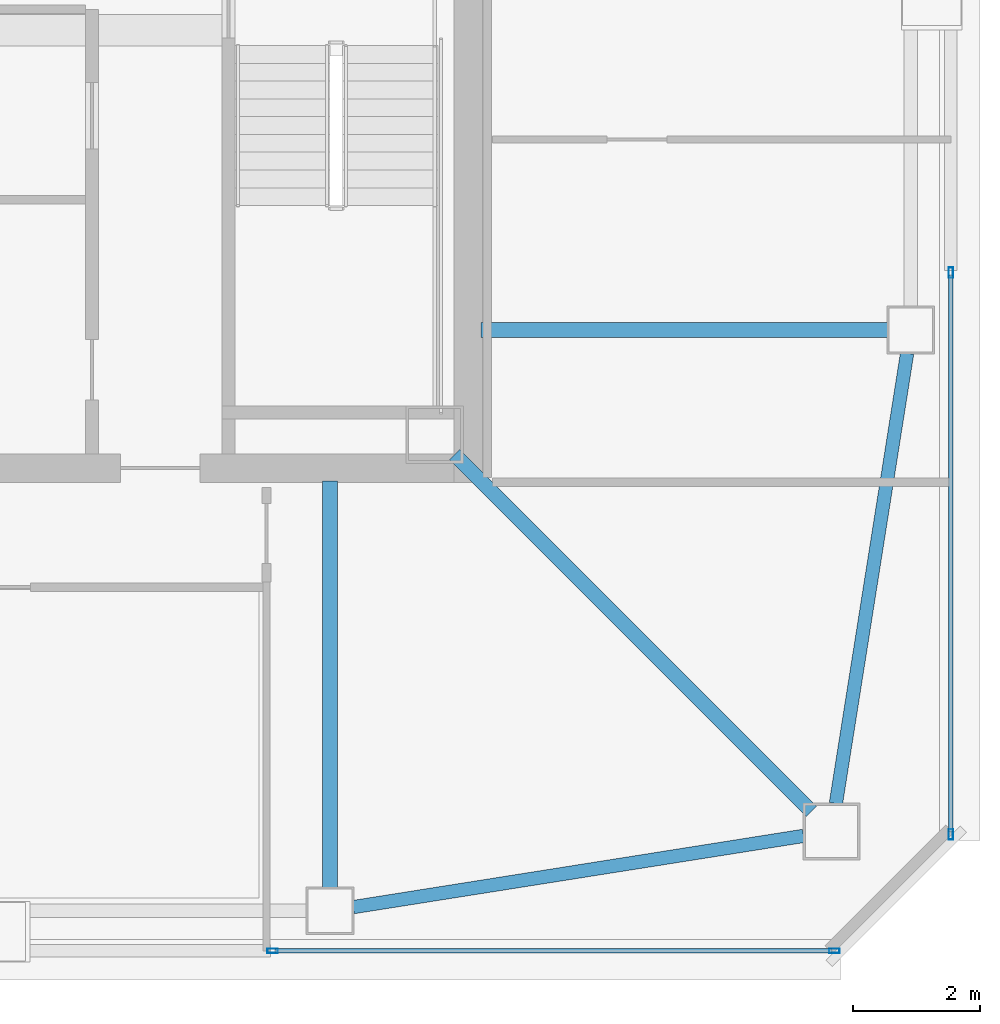
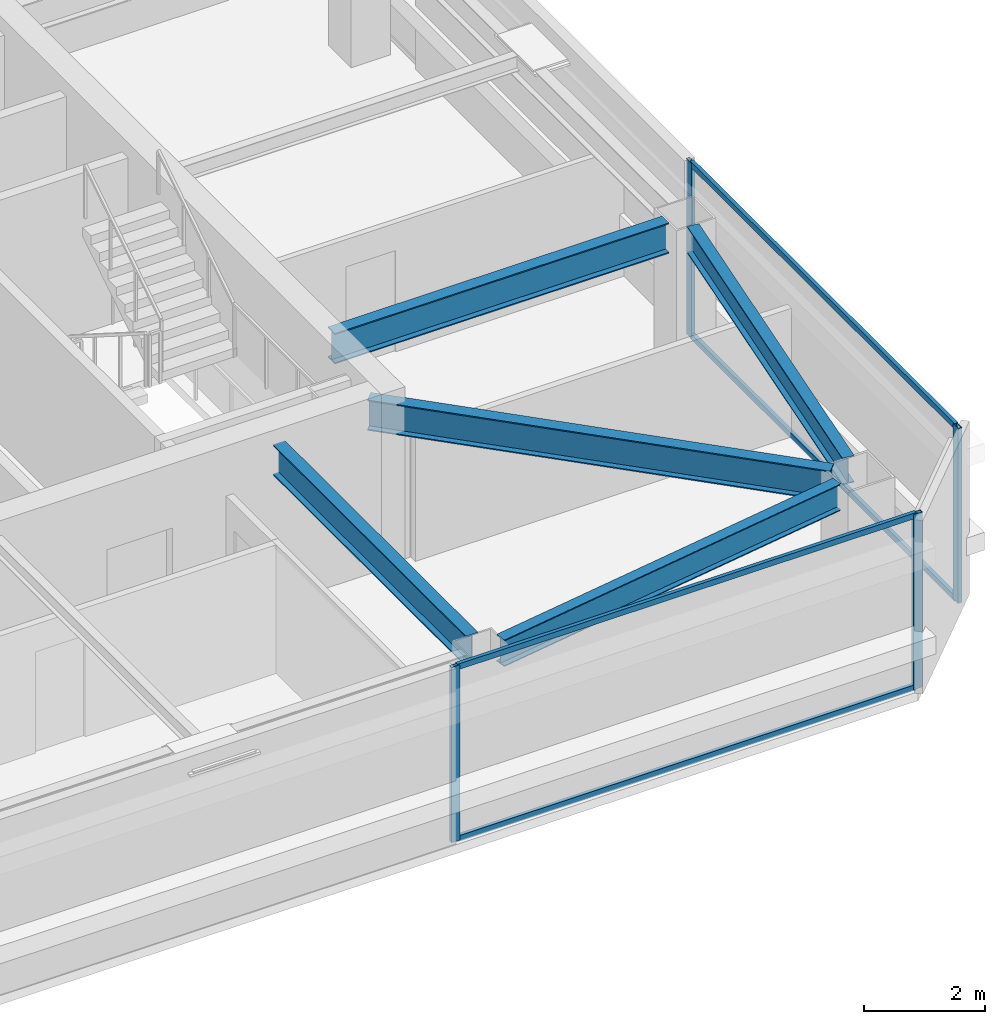
# One storey, part 6 of 18: 8 members, 5 beams, 2 elements without a shape of their own.
"""IFC4 building model written with IfcOpenShell, lengths in metres."""

from ifc_helpers import new_model, si_unit, direction, frame, origin, origin_2d, place, context, subcontext, project, spatial, hollow_rectangle, i_section, extrude, material, material_profile, profile_set, type_object, element, aggregate, save


model = new_model("IFC4")

# Units and contexts
model_context = context("Model", 3, precision=1e-05, world=origin(), true_north=direction((0.0, 1.0)))
body_context = subcontext(model_context, "Body", "Model", "MODEL_VIEW")
ifc_project = project(units=[si_unit("LENGTHUNIT", "METRE"), si_unit("AREAUNIT", "SQUARE_METRE"), si_unit("VOLUMEUNIT", "CUBIC_METRE"), si_unit("PLANEANGLEUNIT", "RADIAN"), si_unit("MASSUNIT", "GRAM", prefix="KILO")], contexts=[model_context])

# Site, building, storey
site_placement = place(None, origin())
site = spatial("IfcSite", under=ifc_project, at=site_placement, CompositionType="ELEMENT")
building_placement = place(site_placement, origin())
building = spatial("IfcBuilding", under=site, at=building_placement, Name="Tashvorn Skyway Center", CompositionType="ELEMENT")
storey_placement = place(building_placement, frame((0.0, 0.0, 274.050048828125)))
storey = spatial("IfcBuildingStorey", under=building, at=storey_placement, Name="L74", CompositionType="ELEMENT", Elevation=274.050048828125)

# Beams
ifc_material_1 = material(Name="Steel ASTM A992 Grade 50", Category="steel")
ifc_material_profile_1 = material_profile(ifc_material_1, i_section(OverallWidth=0.22998046875, OverallDepth=0.616943359375, WebThickness=0.01318359375, FlangeThickness=0.022216796875, at=origin_2d()), Name="W24X94")
ifc_profile_set_1 = profile_set([ifc_material_profile_1], Name="Steel ASTM A992 Grade 50")
beam_type_1 = type_object("IfcBeamType", Name="BM-BEAM-W24X94", PredefinedType="BEAM", material=ifc_profile_set_1)
beam_placement = place(storey_placement, frame((54.9853515625, 19.0146484375, 2.94140625), z_axis=(-0.707106781187, 0.707106781187, 0.0), x_axis=(-0.707106781187, -0.707106781187, 0.0)))
element("IfcBeam", 1, at=beam_placement, inside=storey, type_object=beam_type_1, Name="Tower 1 L74 Primary Floor Girder MC-SE", PredefinedType="BEAM", context=body_context, shape_type="SweptSolid", body=[
    extrude(i_section(OverallWidth=0.22998046875, OverallDepth=0.616943359375, WebThickness=0.01318359375, FlangeThickness=0.022216796875, at=origin_2d()), origin(), (0.0, 0.0, 1.0), 7.94873046875),
])
for number, where, z_axis, x_axis, name in (
    (2, (47.39990234375, 17.820068359375, 2.94140625), (0.0, 1.0, 0.0), (-1.0, 0.0, 0.0), "Tower 1 L74 Primary Floor Girder FC-S2"),
    (3, (56.179931640625, 26.60009765625, 2.94140625), (-1.0, 0.0, 0.0), (0.0, -1.0, 0.0), "Tower 1 L74 Primary Floor Girder FC-E1"),
):
    element("IfcBeam", number, at=place(storey_placement, frame(where, z_axis=z_axis, x_axis=x_axis)), inside=storey, type_object=beam_type_1, Name=name, PredefinedType="BEAM", context=body_context, shape_type="SweptSolid", body=[
        extrude(i_section(OverallWidth=0.22998046875, OverallDepth=0.616943359375, WebThickness=0.01318359375, FlangeThickness=0.022216796875, at=origin_2d()), origin(), (0.0, 0.0, 1.0), 6.39990234375),
    ])
ifc_material_profile_2 = material_profile(ifc_material_1, i_section(OverallWidth=0.2109375, OverallDepth=0.5390625, WebThickness=0.01171875, FlangeThickness=0.018798828125, at=origin_2d()), Name="W21X73")
ifc_profile_set_2 = profile_set([ifc_material_profile_2], Name="Steel ASTM A992 Grade 50")
beam_type_2 = type_object("IfcBeamType", Name="BM-SPANDREL-W21X73", PredefinedType="SPANDREL", material=ifc_profile_set_2)
for number, where, z_axis, x_axis, name in (
    (4, (47.765380859375, 17.5078125, 2.98046875), (0.987713587978, 0.156274976, 0.0), (-0.156274976, 0.987713587978, 0.0), "Tower 1 L74 Spandrel Beam 03"),
    (5, (55.36962890625, 19.1396484375, 2.98046875), (0.156274976, 0.987713587978, 0.0), (-0.987713587978, 0.156274976, 0.0), "Tower 1 L74 Spandrel Beam 04"),
):
    element("IfcBeam", number, at=place(storey_placement, frame(where, z_axis=z_axis, x_axis=x_axis)), inside=storey, type_object=beam_type_2, Name=name, PredefinedType="SPANDREL", context=body_context, shape_type="SweptSolid", body=[
        extrude(i_section(OverallWidth=0.2109375, OverallDepth=0.5390625, WebThickness=0.01171875, FlangeThickness=0.018798828125, at=origin_2d()), origin(), (0.0, 0.0, 1.0), 7.18310546875),
    ])

# Curtain wall, members
ifc_material_2 = material(Name="Thermally broken bronze-anodized aluminium 6063-T6", Category="aluminium")
curtain_wall_type = type_object("IfcCurtainWallType", Name="CW-CW-Z5", PredefinedType="NOTDEFINED", material=ifc_material_2)
curtain_wall_1_placement = place(storey_placement, origin())
curtain_wall_1 = element("IfcCurtainWall", 6, at=curtain_wall_1_placement, inside=storey, type_object=curtain_wall_type, Name="Tower 1 L74 South Unitised Curtain Wall Glazing Group 1", PredefinedType="NOTDEFINED")
ifc_material_profile_3 = material_profile(ifc_material_2, hollow_rectangle(XDim=0.070068359375, YDim=0.1650390625, WallThickness=0.00390625, at=origin_2d()), Name="ALU-MULL-70x165")
ifc_profile_set_3 = profile_set([ifc_material_profile_3], Name="Thermally broken bronze-anodized aluminium 6063-T6")
member_type_1 = type_object("IfcMemberType", Name="CWM-CW-Z5", PredefinedType="MULLION", material=ifc_profile_set_3)
member_1_placement = place(storey_placement, frame((55.344970703125, 16.820068359375, 0.0), z_axis=(0.0, 0.0, 1.0), x_axis=(0.0, -1.0, 0.0)))
member_1 = element("IfcMember", 7, at=member_1_placement, type_object=member_type_1, Name="CW-Z5 mullion 1", PredefinedType="MULLION", context=body_context, shape_type="SweptSolid", body=[
    extrude(hollow_rectangle(XDim=0.070068359375, YDim=0.1650390625, WallThickness=0.00390625, at=origin_2d()), origin(), (0.0, 0.0, 1.0), 3.550048828125),
])
member_2_placement = place(storey_placement, frame((46.4951171875, 16.820068359375, 0.0), z_axis=(0.0, 0.0, 1.0), x_axis=(0.0, -1.0, 0.0)))
member_2 = element("IfcMember", 8, at=member_2_placement, type_object=member_type_1, Name="CW-Z5 mullion 2", PredefinedType="MULLION", context=body_context, shape_type="SweptSolid", body=[
    extrude(hollow_rectangle(XDim=0.070068359375, YDim=0.1650390625, WallThickness=0.00390625, at=origin_2d()), origin(), (0.0, 0.0, 1.0), 3.550048828125),
])

curtain_wall_2_placement = place(storey_placement, origin())
curtain_wall_2 = element("IfcCurtainWall", 9, at=curtain_wall_2_placement, inside=storey, type_object=curtain_wall_type, Name="Tower 1 L74 East Unitised Curtain Wall Glazing Group 2", PredefinedType="NOTDEFINED")
member_3_placement = place(storey_placement, frame((57.179931640625, 27.5048828125, 0.0), z_axis=(0.0, 0.0, 1.0), x_axis=(1.0, 0.0, 0.0)))
member_3 = element("IfcMember", 10, at=member_3_placement, type_object=member_type_1, Name="CW-Z5 mullion 1", PredefinedType="MULLION", context=body_context, shape_type="SweptSolid", body=[
    extrude(hollow_rectangle(XDim=0.070068359375, YDim=0.1650390625, WallThickness=0.00390625, at=origin_2d()), origin(), (0.0, 0.0, 1.0), 3.550048828125),
])
member_4_placement = place(storey_placement, frame((57.179931640625, 18.655029296875, 0.0), z_axis=(0.0, 0.0, 1.0), x_axis=(1.0, 0.0, 0.0)))
member_4 = element("IfcMember", 11, at=member_4_placement, type_object=member_type_1, Name="CW-Z5 mullion 2", PredefinedType="MULLION", context=body_context, shape_type="SweptSolid", body=[
    extrude(hollow_rectangle(XDim=0.070068359375, YDim=0.1650390625, WallThickness=0.00390625, at=origin_2d()), origin(), (0.0, 0.0, 1.0), 3.550048828125),
])

# Member
ifc_material_profile_4 = material_profile(ifc_material_2, hollow_rectangle(XDim=0.070068359375, YDim=0.114990234375, WallThickness=0.00390625, at=origin_2d()), Name="ALU-TRAN-70x115")
ifc_profile_set_4 = profile_set([ifc_material_profile_4], Name="Thermally broken bronze-anodized aluminium 6063-T6")
member_type_2 = type_object("IfcMemberType", Name="CWT-CW-Z5", PredefinedType="USERDEFINED", material=ifc_profile_set_4)
member_5_placement = place(storey_placement, frame((55.31005859375, 16.820068359375, 0.034912109375), z_axis=(-1.0, 0.0, 0.0), x_axis=(0.0, -1.0, 0.0)))
member_5 = element("IfcMember", 12, at=member_5_placement, type_object=member_type_2, Name="CW-Z5 transom 1.1", ObjectType="TRANSOM", PredefinedType="USERDEFINED", context=body_context, shape_type="SweptSolid", body=[
    extrude(hollow_rectangle(XDim=0.070068359375, YDim=0.114990234375, WallThickness=0.00390625, at=origin_2d()), origin(), (0.0, 0.0, 1.0), 8.780029296875),
])

member_6_placement = place(storey_placement, frame((55.31005859375, 16.820068359375, 3.514892578125), z_axis=(-1.0, 0.0, 0.0), x_axis=(0.0, -1.0, 0.0)))
member_6 = element("IfcMember", 13, at=member_6_placement, type_object=member_type_2, Name="CW-Z5 transom 1.2", ObjectType="TRANSOM", PredefinedType="USERDEFINED", context=body_context, shape_type="SweptSolid", body=[
    extrude(hollow_rectangle(XDim=0.070068359375, YDim=0.114990234375, WallThickness=0.00390625, at=origin_2d()), origin(), (0.0, 0.0, 1.0), 8.780029296875),
])

aggregate(curtain_wall_1, [member_1, member_2, member_5, member_6])

member_7_placement = place(storey_placement, frame((57.179931640625, 27.469970703125, 0.034912109375), z_axis=(0.0, -1.0, 0.0), x_axis=(1.0, 0.0, 0.0)))
member_7 = element("IfcMember", 14, at=member_7_placement, type_object=member_type_2, Name="CW-Z5 transom 1.1", ObjectType="TRANSOM", PredefinedType="USERDEFINED", context=body_context, shape_type="SweptSolid", body=[
    extrude(hollow_rectangle(XDim=0.070068359375, YDim=0.114990234375, WallThickness=0.00390625, at=origin_2d()), origin(), (0.0, 0.0, 1.0), 8.780029296875),
])

member_8_placement = place(storey_placement, frame((57.179931640625, 27.469970703125, 3.514892578125), z_axis=(0.0, -1.0, 0.0), x_axis=(1.0, 0.0, 0.0)))
member_8 = element("IfcMember", 15, at=member_8_placement, type_object=member_type_2, Name="CW-Z5 transom 1.2", ObjectType="TRANSOM", PredefinedType="USERDEFINED", context=body_context, shape_type="SweptSolid", body=[
    extrude(hollow_rectangle(XDim=0.070068359375, YDim=0.114990234375, WallThickness=0.00390625, at=origin_2d()), origin(), (0.0, 0.0, 1.0), 8.780029296875),
])

aggregate(curtain_wall_2, [member_3, member_4, member_7, member_8])

save(model, "model.ifc")
